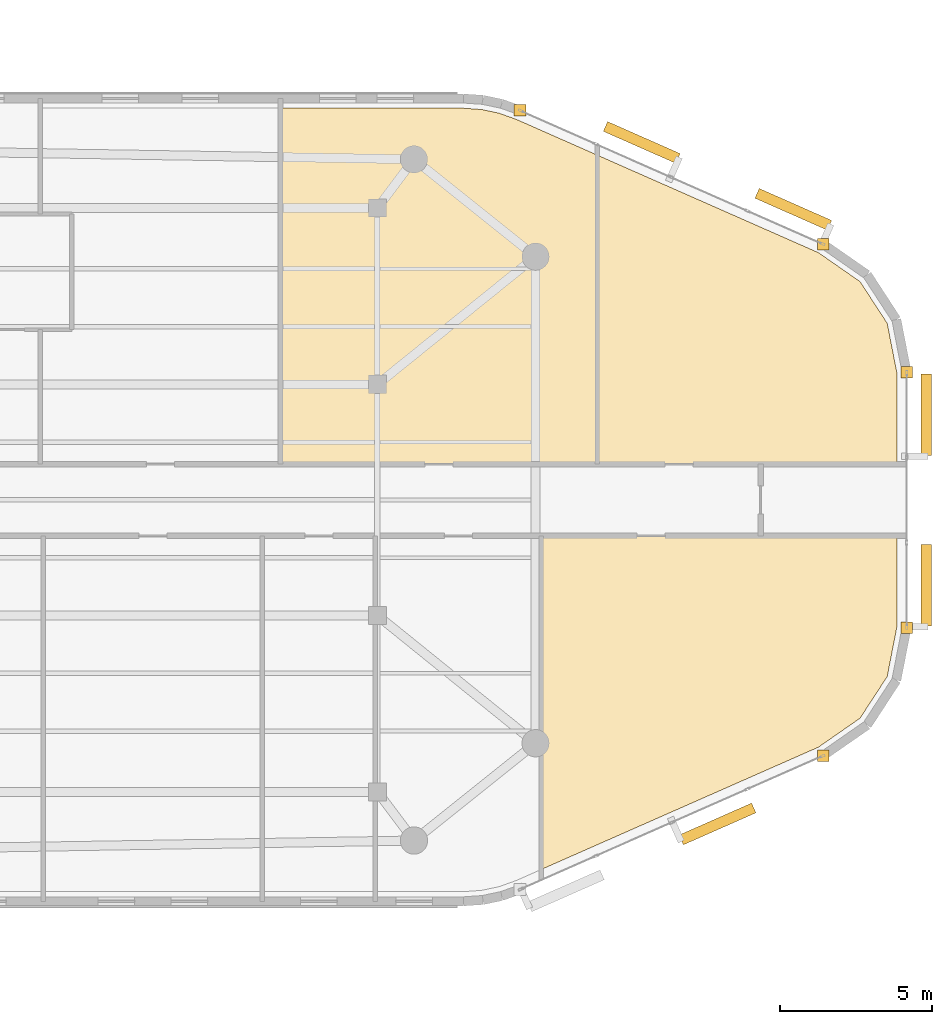
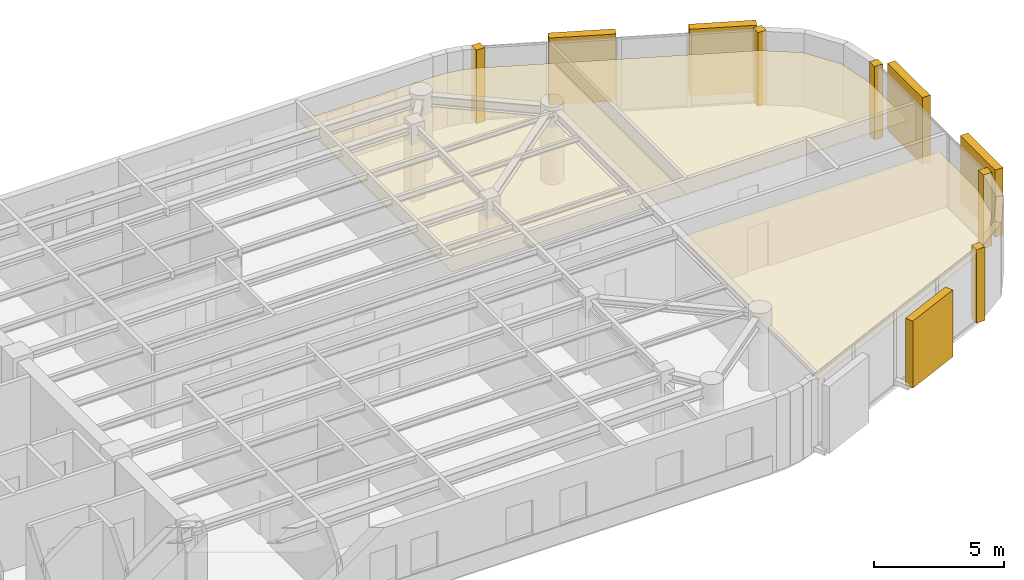
# One storey, part 14 of 14: 8 coverings, 5 shading devices.
"""IFC4 building model written with IfcOpenShell, lengths in metres."""

from ifc_helpers import new_model, si_unit, direction, frame, origin, origin_2d, place, context, subcontext, project, spatial, polyline, rectangle, outline, extrude, material, layer, layer_set, type_object, element, save


model = new_model("IFC4")

# Units and contexts
model_context = context("Model", 3, precision=1e-05, world=origin(), true_north=direction((0.0, 1.0)))
body_context = subcontext(model_context, "Body", "Model", "MODEL_VIEW")
ifc_project = project(units=[si_unit("LENGTHUNIT", "METRE"), si_unit("AREAUNIT", "SQUARE_METRE"), si_unit("VOLUMEUNIT", "CUBIC_METRE"), si_unit("PLANEANGLEUNIT", "RADIAN"), si_unit("MASSUNIT", "GRAM", prefix="KILO")], contexts=[model_context])

# Site, building, storey
site_placement = place(None, origin())
site = spatial("IfcSite", under=ifc_project, at=site_placement, CompositionType="ELEMENT")
building_placement = place(site_placement, origin())
building = spatial("IfcBuilding", under=site, at=building_placement, Name="An Khanh Terracotta Commons", CompositionType="ELEMENT")
storey_placement = place(building_placement, frame((0.0, 0.0, 284.35009765625)))
storey = spatial("IfcBuildingStorey", under=building, at=storey_placement, Name="L74", CompositionType="ELEMENT", Elevation=284.35009765625)

# Coverings
ifc_material_1 = material(Name="Perforated Mineral-Fibre Acoustic Tile")
ifc_layer_1 = layer(ifc_material_1, 0.02001953125, Name="Perforated Mineral-Fibre Acoustic Tile")
ifc_layer_set_1 = layer_set([ifc_layer_1], Name="Perforated Mineral-Fibre Acoustic Tile")
covering_type_1 = type_object("IfcCoveringType", Name="CEIL-ACOUSTIC-18", PredefinedType="CEILING", material=ifc_layer_set_1)
covering_1_placement = place(storey_placement, frame((0.0, 0.0, 2.64990234375)))
element("IfcCovering", 1, at=covering_1_placement, inside=storey, type_object=covering_type_1, Name="L74 Observatory Study Hall Ceiling", PredefinedType="CEILING", context=body_context, shape_type="SweptSolid", body=[
    extrude(outline(polyline([(61.01904296875, 36.8798828125), (61.62109375, 36.837890625), (62.199951171875, 36.716064453125), (62.76806640625, 36.511962890625), (65.431884765625, 35.3359375), (65.431884765625, 25.179931640625), (55.011962890625, 25.179931640625), (55.011962890625, 36.8798828125), (61.01904296875, 36.8798828125)])), origin(), (0.0, 0.0, 1.0), 0.02001953125),
])
covering_2_placement = place(storey_placement, frame((0.0, 0.0, 2.64990234375)))
element("IfcCovering", 2, at=covering_2_placement, inside=storey, type_object=covering_type_1, Name="L74 Music Lounge Ceiling", PredefinedType="CEILING", context=body_context, shape_type="SweptSolid", body=[
    extrude(outline(polyline([(72.699951171875, 32.1298828125), (74.068115234375, 31.177978515625), (74.9609375, 29.80810546875), (75.280029296875, 28.1708984375), (75.280029296875, 25.179931640625), (70.800048828125, 25.179931640625), (65.431884765625, 25.179931640625), (65.431884765625, 35.3359375), (72.699951171875, 32.1298828125)])), origin(), (0.0, 0.0, 1.0), 0.02001953125),
])
covering_3_placement = place(storey_placement, frame((0.0, 0.0, 2.64990234375)))
element("IfcCovering", 3, at=covering_3_placement, inside=storey, type_object=covering_type_1, Name="L74 Riverfront Reading Hall Ceiling", PredefinedType="CEILING", context=body_context, shape_type="SweptSolid", body=[
    extrude(outline(polyline([(75.280029296875, 19.8291015625), (74.9609375, 18.19189453125), (74.068115234375, 16.822021484375), (72.699951171875, 15.8701171875), (63.592041015625, 11.85205078125), (63.592041015625, 22.820068359375), (70.800048828125, 22.820068359375), (75.280029296875, 22.820068359375), (75.280029296875, 19.8291015625)])), origin(), (0.0, 0.0, 1.0), 0.02001953125),
])
ifc_material_2 = material(Name="Fired Terracotta Rainscreen Cladding", Category="masonry")
ifc_layer_2 = layer(ifc_material_2, 0.080078125, Name="Fired Terracotta Rainscreen Cladding")
ifc_layer_set_2 = layer_set([ifc_layer_2], Name="Fired Terracotta Rainscreen Cladding")
covering_type_2 = type_object("IfcCoveringType", Name="COV-JAMB-TERRA", PredefinedType="CLADDING", material=ifc_layer_set_2)
for number, where, z_axis, x_axis, name in (
    (4, (72.85693359375, 15.590087890625, 0.0), (0.0, 0.0, 1.0), (1.0, 0.0, 0.0), "L74 CW-03 Curtain-Wall Jamb Closure JB"),
    (5, (75.60009765625, 19.798095703125, 0.0), (0.0, 0.0, 1.0), (1.0, 0.0, 0.0), "L74 CW-03 Curtain-Wall Jamb Closure JA"),
    (6, (75.60009765625, 28.201904296875, 0.0), (0.0, 0.0, 1.0), (1.0, 0.0, 0.0), "L74 CW-03 Curtain-Wall Jamb Closure JB"),
    (7, (72.85693359375, 32.409912109375, 0.0), (0.0, 0.0, 1.0), (1.0, 0.0, 0.0), "L74 CW-03 Curtain-Wall Jamb Closure JA"),
    (8, (62.886962890625, 36.80908203125, 0.0), (0.0, 0.0, 1.0), (1.0, 0.0, 0.0), "L74 CW-03 Curtain-Wall Jamb Closure JB"),
):
    element("IfcCovering", number, at=place(storey_placement, frame(where, z_axis=z_axis, x_axis=x_axis)), inside=storey, type_object=covering_type_2, Name=name, PredefinedType="CLADDING", context=body_context, shape_type="SweptSolid", body=[
        extrude(rectangle(XDim=0.3798828125, YDim=0.3798828125, at=origin_2d()), origin(), (0.0, 0.0, 1.0), 3.449951171875),
    ])

# Shading devices
ifc_material_3 = material(Name="Extruded Fired Terracotta", Category="masonry")
shading_device_type = type_object("IfcShadingDeviceType", Name="Terracotta Baguette Screen Assembly", PredefinedType="USERDEFINED", material=ifc_material_3)
shading_device_placement = place(storey_placement, frame((69.381103515625, 13.345947265625, 0.14990234375), z_axis=(0.0, 0.0, 1.0), x_axis=(0.914901853201, 0.403676354285, 0.0)))
element("IfcShadingDevice", 9, at=shading_device_placement, inside=storey, type_object=shading_device_type, Name="L74 Terracotta Baguette Screen 3", ObjectType="BAGUETTE", PredefinedType="USERDEFINED", context=body_context, shape_type="SweptSolid", body=[
    extrude(rectangle(XDim=2.60400390625, YDim=0.35009765625, at=origin_2d()), origin(), (0.0, 0.0, 1.0), 3.14990234375),
])
for number, where, z_axis, x_axis, name in (
    (10, (76.25, 21.198974609375, 0.14990234375), (0.0, 0.0, 1.0), (0.0, 1.0, 0.0), "L74 Terracotta Baguette Screen 1"),
    (11, (76.25, 26.801025390625, 0.14990234375), (0.0, 0.0, 1.0), (0.0, 1.0, 0.0), "L74 Terracotta Baguette Screen 3"),
):
    element("IfcShadingDevice", number, at=place(storey_placement, frame(where, z_axis=z_axis, x_axis=x_axis)), inside=storey, type_object=shading_device_type, Name=name, ObjectType="BAGUETTE", PredefinedType="USERDEFINED", context=body_context, shape_type="SweptSolid", body=[
        extrude(rectangle(XDim=2.680908203125, YDim=0.35009765625, at=origin_2d()), origin(), (0.0, 0.0, 1.0), 3.14990234375),
    ])
for number, where, z_axis, x_axis, name in (
    (12, (71.873046875, 33.554931640625, 0.14990234375), (0.0, 0.0, 1.0), (-0.914901853201, 0.403676354285, 0.0), "L74 Terracotta Baguette Screen 1"),
    (13, (66.887939453125, 35.75390625, 0.14990234375), (0.0, 0.0, 1.0), (-0.914901853201, 0.403676354285, 0.0), "L74 Terracotta Baguette Screen 3"),
):
    element("IfcShadingDevice", number, at=place(storey_placement, frame(where, z_axis=z_axis, x_axis=x_axis)), inside=storey, type_object=shading_device_type, Name=name, ObjectType="BAGUETTE", PredefinedType="USERDEFINED", context=body_context, shape_type="SweptSolid", body=[
        extrude(rectangle(XDim=2.60400390625, YDim=0.35009765625, at=origin_2d()), origin(), (0.0, 0.0, 1.0), 3.14990234375),
    ])

save(model, "model.ifc")
